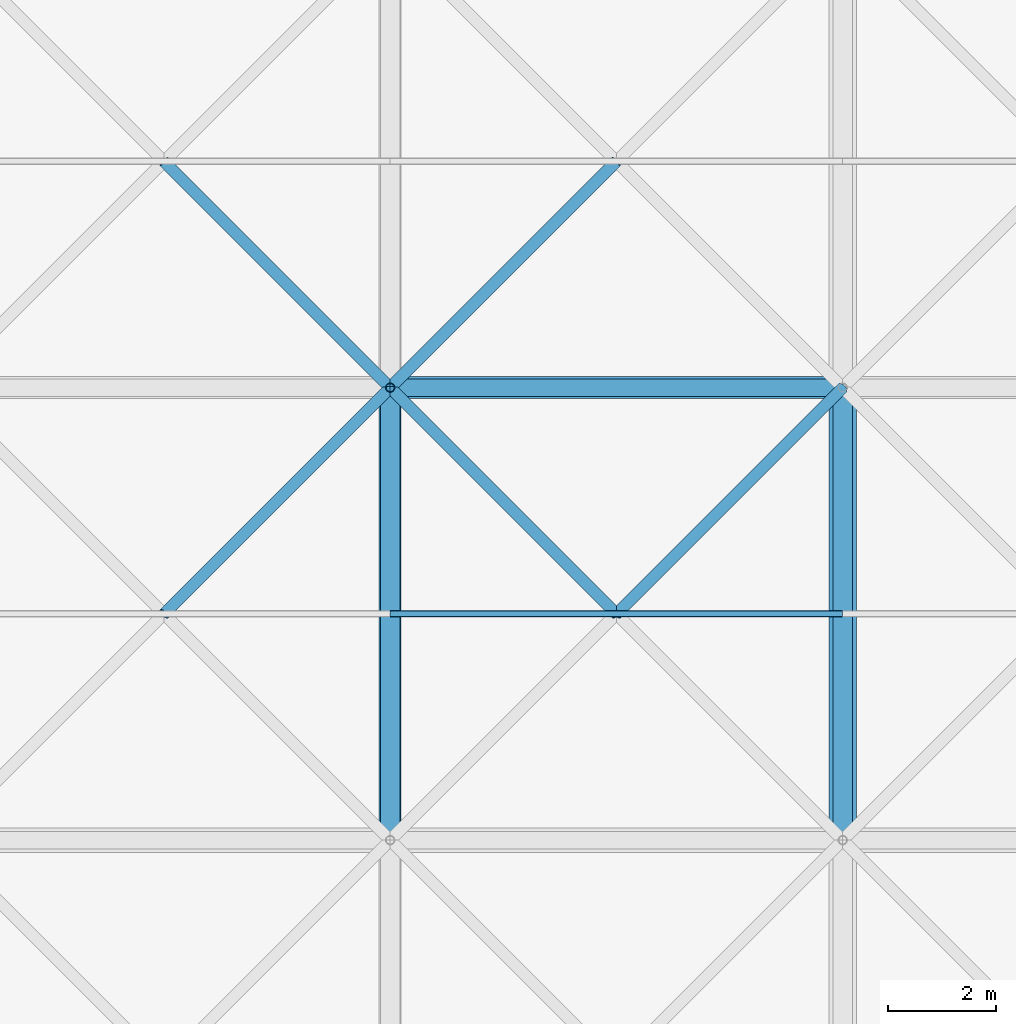
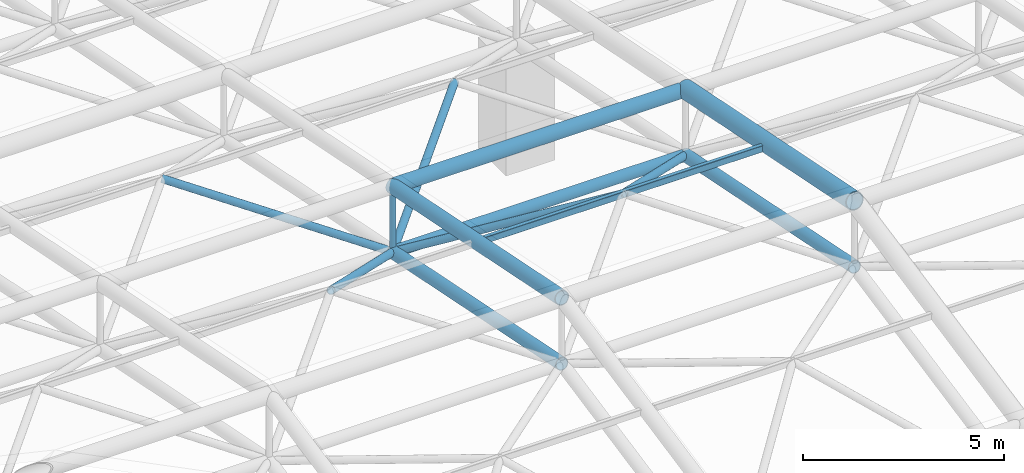
# One storey, part 43 of 81: 13 members.
"""IFC4 building model written with IfcOpenShell, lengths in metres."""

from ifc_helpers import new_model, si_unit, direction, frame, origin, origin_2d, place, context, subcontext, project, spatial, hollow_rectangle, hollow_circle, extrude, material, material_profile, profile_set, type_object, element, save


model = new_model("IFC4")

# Units and contexts
model_context = context("Model", 3, precision=1e-05, world=origin(), true_north=direction((0.0, 1.0)))
body_context = subcontext(model_context, "Body", "Model", "MODEL_VIEW")
ifc_project = project(units=[si_unit("LENGTHUNIT", "METRE"), si_unit("AREAUNIT", "SQUARE_METRE"), si_unit("VOLUMEUNIT", "CUBIC_METRE"), si_unit("PLANEANGLEUNIT", "RADIAN"), si_unit("MASSUNIT", "GRAM", prefix="KILO")], contexts=[model_context])

# Site, building, storey
site_placement = place(None, origin())
site = spatial("IfcSite", under=ifc_project, at=site_placement, CompositionType="ELEMENT")
building_placement = place(site_placement, origin())
building = spatial("IfcBuilding", under=site, at=building_placement, Name="Qawsi Khor Wholesale Market", CompositionType="ELEMENT")
storey_placement = place(building_placement, frame((0.0, 0.0, 16.199951171875)))
storey = spatial("IfcBuildingStorey", under=building, at=storey_placement, Name="L03", CompositionType="ELEMENT", Elevation=16.199951171875)

# Members
ifc_material = material(Name="Steel S355", Category="steel")
ifc_material_profile_1 = material_profile(ifc_material, hollow_circle(Radius=0.177734375, WallThickness=0.01611328125, at=origin_2d()), Name="CHS 355.6x16.0")
ifc_profile_set_1 = profile_set([ifc_material_profile_1], Name="Steel S355")
member_type_1 = type_object("IfcMemberType", Name="Space-Frame Bottom Chord CHS 355.6x16.0", PredefinedType="CHORD", material=ifc_profile_set_1)
for number, where, z_axis, x_axis, name in (
    (1, (50.39990234375, 75.60009765625, 6.77001953125), (0.0, 0.980129990483, -0.1983562496), (-1.0, 0.0, 0.0), "Space frame bottom chord Y WH (6,9)"),
    (2, (58.800048828125, 75.60009765625, 6.77001953125), (0.0, 0.980129990483, -0.1983562496), (-1.0, 0.0, 0.0), "Space frame bottom chord Y WH (7,9)"),
):
    element("IfcMember", number, at=place(storey_placement, frame(where, z_axis=z_axis, x_axis=x_axis)), inside=storey, type_object=member_type_1, Name=name, PredefinedType="CHORD", context=body_context, shape_type="SweptSolid", body=[
        extrude(hollow_circle(Radius=0.177734375, WallThickness=0.01611328125, at=origin_2d()), origin(), (0.0, 0.0, 1.0), 8.5703125),
    ])
ifc_material_profile_2 = material_profile(ifc_material, hollow_rectangle(XDim=0.1201171875, YDim=0.199951171875, WallThickness=0.008056640625, InnerFilletRadius=0.008056640625, OuterFilletRadius=0.01611328125, at=origin_2d()), Name="RHS 200x120x8.0")
ifc_profile_set_2 = profile_set([ifc_material_profile_2], Name="Steel S355")
member_type_2 = type_object("IfcMemberType", Name="Space-Frame Heavy Purlin RHS 200x120x8.0", PredefinedType="PURLIN", material=ifc_profile_set_2)
member_1_placement = place(storey_placement, frame((50.39990234375, 79.800048828125, 7.920166015625), z_axis=(1.0, 0.0, 0.0), x_axis=(0.0, 1.0, 0.0)))
element("IfcMember", 3, at=member_1_placement, inside=storey, type_object=member_type_2, Name="Space frame purlin WH (6,9)", PredefinedType="PURLIN", context=body_context, shape_type="SweptSolid", body=[
    extrude(hollow_rectangle(XDim=0.1201171875, YDim=0.199951171875, WallThickness=0.008056640625, InnerFilletRadius=0.008056640625, OuterFilletRadius=0.01611328125, at=origin_2d()), origin(), (0.0, 0.0, 1.0), 8.400146484375),
])
ifc_material_profile_3 = material_profile(ifc_material, hollow_circle(Radius=0.109619140625, WallThickness=0.010009765625, at=origin_2d()), Name="CHS 219.1x10.0")
ifc_profile_set_3 = profile_set([ifc_material_profile_3], Name="Steel S355")
member_type_3 = type_object("IfcMemberType", Name="Space-Frame Inner Diagonal CHS 219.1x10.0", PredefinedType="RAFTER", material=ifc_profile_set_3)
member_2_placement = place(storey_placement, frame((50.39990234375, 84.0, 5.070068359375), z_axis=(-0.637511741089, -0.637511741089, 0.432617105474), x_axis=(0.707106781187, -0.707106781187, 0.0)))
element("IfcMember", 4, at=member_2_placement, inside=storey, type_object=member_type_3, Name="Space frame diagonal WH (5,9)-3", PredefinedType="RAFTER", context=body_context, shape_type="SweptSolid", body=[
    extrude(hollow_circle(Radius=0.109619140625, WallThickness=0.010009765625, at=origin_2d()), origin(), (0.0, 0.0, 1.0), 6.588134765625),
])
member_3_placement = place(storey_placement, frame((50.39990234375, 84.0, 5.070068359375), z_axis=(-0.694216714393, 0.694216714393, 0.190069216113), x_axis=(-0.707106781187, -0.707106781187, 0.0)))
element("IfcMember", 5, at=member_3_placement, inside=storey, type_object=member_type_3, Name="Space frame diagonal WH (5,10)-2", PredefinedType="RAFTER", context=body_context, shape_type="SweptSolid", body=[
    extrude(hollow_circle(Radius=0.109619140625, WallThickness=0.010009765625, at=origin_2d()), origin(), (0.0, 0.0, 1.0), 6.0498046875),
])
for number, where, z_axis, x_axis, name in (
    (6, (58.800048828125, 84.0, 5.070068359375), (-0.637511741089, -0.637511741089, 0.432617105474), (0.707106781187, -0.707106781187, 0.0), "Space frame diagonal WH (6,9)-3"),
    (7, (50.39990234375, 84.0, 5.070068359375), (0.637533737254, -0.637496679957, 0.432606884951), (0.70708622964, 0.707127332136, 0.0), "Space frame diagonal WH (6,9)-4"),
):
    element("IfcMember", number, at=place(storey_placement, frame(where, z_axis=z_axis, x_axis=x_axis)), inside=storey, type_object=member_type_3, Name=name, PredefinedType="RAFTER", context=body_context, shape_type="SweptSolid", body=[
        extrude(hollow_circle(Radius=0.109619140625, WallThickness=0.010009765625, at=origin_2d()), origin(), (0.0, 0.0, 1.0), 6.588134765625),
    ])
member_4_placement = place(storey_placement, frame((50.39990234375, 84.0, 5.070068359375), z_axis=(0.694237619642, 0.694197266374, 0.19006389145), x_axis=(-0.70708622964, 0.707127332136, 0.0)))
element("IfcMember", 8, at=member_4_placement, inside=storey, type_object=member_type_3, Name="Space frame diagonal WH (6,10)-1", PredefinedType="RAFTER", context=body_context, shape_type="SweptSolid", body=[
    extrude(hollow_circle(Radius=0.109619140625, WallThickness=0.010009765625, at=origin_2d()), origin(), (0.0, 0.0, 1.0), 6.050048828125),
])
ifc_material_profile_4 = material_profile(ifc_material, hollow_circle(Radius=0.25390625, WallThickness=0.02490234375, at=origin_2d()), Name="CHS 508.0x25.0")
ifc_profile_set_4 = profile_set([ifc_material_profile_4], Name="Steel S355")
member_type_4 = type_object("IfcMemberType", Name="Space-Frame Main Chord CHS 508.0x25.0", PredefinedType="CHORD", material=ifc_profile_set_4)
member_5_placement = place(storey_placement, frame((58.800048828125, 75.60009765625, 8.77001953125), z_axis=(0.0, 0.980129990483, -0.1983562496), x_axis=(-1.0, 0.0, 0.0)))
element("IfcMember", 9, at=member_5_placement, inside=storey, type_object=member_type_4, Name="Space frame top chord Y WH (7,9)", PredefinedType="CHORD", context=body_context, shape_type="SweptSolid", body=[
    extrude(hollow_circle(Radius=0.25390625, WallThickness=0.02490234375, at=origin_2d()), origin(), (0.0, 0.0, 1.0), 8.5703125),
])
ifc_material_profile_5 = material_profile(ifc_material, hollow_circle(Radius=0.161865234375, WallThickness=0.01611328125, at=origin_2d()), Name="CHS 323.9x16.0")
ifc_profile_set_5 = profile_set([ifc_material_profile_5], Name="Steel S355")
member_type_5 = type_object("IfcMemberType", Name="Space-Frame Secondary Chord CHS 323.9x16.0", PredefinedType="CHORD", material=ifc_profile_set_5)
member_6_placement = place(storey_placement, frame((50.39990234375, 84.0, 5.070068359375), z_axis=(1.0, 0.0, 0.0), x_axis=(0.0, 1.0, 0.0)))
element("IfcMember", 10, at=member_6_placement, inside=storey, type_object=member_type_5, Name="Space frame bottom chord X WH (6,10)", PredefinedType="CHORD", context=body_context, shape_type="SweptSolid", body=[
    extrude(hollow_circle(Radius=0.161865234375, WallThickness=0.01611328125, at=origin_2d()), origin(), (0.0, 0.0, 1.0), 8.400146484375),
])
ifc_material_profile_6 = material_profile(ifc_material, hollow_circle(Radius=0.203125, WallThickness=0.02001953125, at=origin_2d()), Name="CHS 406.4x20.0")
ifc_profile_set_6 = profile_set([ifc_material_profile_6], Name="Steel S355")
member_type_6 = type_object("IfcMemberType", Name="Space-Frame Top Chord CHS 406.4x20.0", PredefinedType="CHORD", material=ifc_profile_set_6)
member_7_placement = place(storey_placement, frame((50.39990234375, 75.60009765625, 8.77001953125), z_axis=(0.0, 0.980129990483, -0.1983562496), x_axis=(-1.0, 0.0, 0.0)))
element("IfcMember", 11, at=member_7_placement, inside=storey, type_object=member_type_6, Name="Space frame top chord Y WH (6,9)", PredefinedType="CHORD", context=body_context, shape_type="SweptSolid", body=[
    extrude(hollow_circle(Radius=0.203125, WallThickness=0.02001953125, at=origin_2d()), origin(), (0.0, 0.0, 1.0), 8.5703125),
])
member_8_placement = place(storey_placement, frame((50.39990234375, 84.0, 7.070068359375), z_axis=(1.0, 0.0, 0.0), x_axis=(0.0, 1.0, 0.0)))
element("IfcMember", 12, at=member_8_placement, inside=storey, type_object=member_type_6, Name="Space frame top chord X WH (6,10)", PredefinedType="CHORD", context=body_context, shape_type="SweptSolid", body=[
    extrude(hollow_circle(Radius=0.203125, WallThickness=0.02001953125, at=origin_2d()), origin(), (0.0, 0.0, 1.0), 8.400146484375),
])
ifc_material_profile_7 = material_profile(ifc_material, hollow_circle(Radius=0.084228515625, WallThickness=0.008056640625, at=origin_2d()), Name="CHS 168.3x8.0")
ifc_profile_set_7 = profile_set([ifc_material_profile_7], Name="Steel S355")
member_type_7 = type_object("IfcMemberType", Name="Space-Frame Vertical Strut CHS 168.3x8.0", PredefinedType="STRUT", material=ifc_profile_set_7)
member_9_placement = place(storey_placement, frame((50.39990234375, 84.0, 5.070068359375), z_axis=(0.0, 0.0, 1.0), x_axis=(1.0, 0.0, 0.0)))
element("IfcMember", 13, at=member_9_placement, inside=storey, type_object=member_type_7, Name="Space frame post WH (6,10)", PredefinedType="STRUT", context=body_context, shape_type="SweptSolid", body=[
    extrude(hollow_circle(Radius=0.084228515625, WallThickness=0.008056640625, at=origin_2d()), origin(), (0.0, 0.0, 1.0), 2.0),
])

save(model, "model.ifc")
